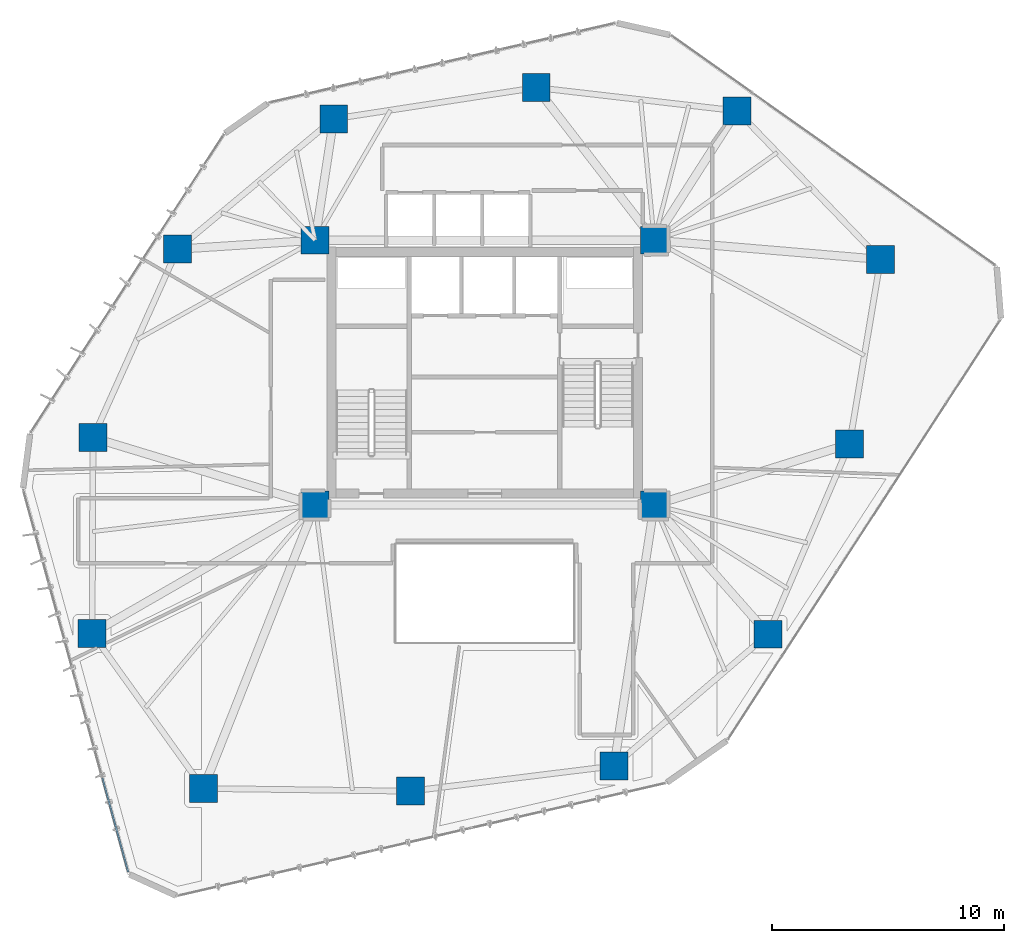
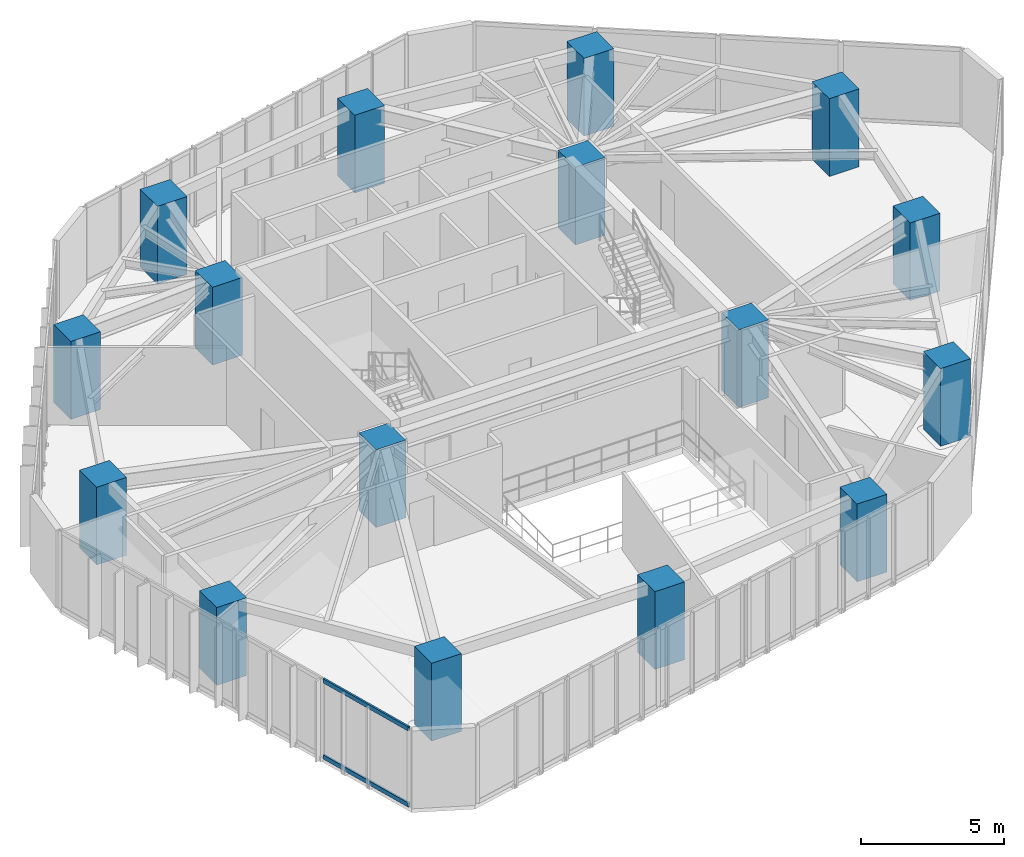
# One storey, part 1 of 21: 16 columns, 2 members, 1 element without a shape of its own.
"""IFC4 building model written with IfcOpenShell, lengths in metres."""

from ifc_helpers import new_model, si_unit, direction, frame, origin, origin_2d, place, context, subcontext, project, spatial, rectangle, hollow_rectangle, extrude, source, transform, mapped, material, layer, layer_set, material_profile, profile_set, type_object, type_shapes, element, aggregate, save


model = new_model("IFC4")

# Units and contexts
model_context = context("Model", 3, precision=1e-05, world=origin(), true_north=direction((0.0, 1.0)))
body_context = subcontext(model_context, "Body", "Model", "MODEL_VIEW")
ifc_project = project(units=[si_unit("LENGTHUNIT", "METRE"), si_unit("AREAUNIT", "SQUARE_METRE"), si_unit("VOLUMEUNIT", "CUBIC_METRE"), si_unit("PLANEANGLEUNIT", "RADIAN"), si_unit("MASSUNIT", "GRAM", prefix="KILO")], contexts=[model_context])

# Site, building, storey
site_placement = place(None, origin())
site = spatial("IfcSite", under=ifc_project, at=site_placement, CompositionType="ELEMENT")
building_placement = place(site_placement, origin())
building = spatial("IfcBuilding", under=site, at=building_placement, Name="Talar Marvaseh", CompositionType="ELEMENT")
storey_placement = place(building_placement, frame((0.0, 0.0, 129.0)))
storey = spatial("IfcBuildingStorey", under=building, at=storey_placement, Name="L33", CompositionType="ELEMENT", Elevation=129.0)

# Columns
ifc_material_1 = material(Name="Concrete C60/75", Category="concrete")
ifc_material_profile_1 = material_profile(ifc_material_1, rectangle(XDim=1.199951171875, YDim=1.199951171875, at=origin_2d()), Name="RC1200x1200")
ifc_profile_set_1 = profile_set([ifc_material_profile_1], Name="Concrete C60/75")
column_type = type_object("IfcColumnType", Name="Zone 2 Tube Column RC1200x1200", PredefinedType="COLUMN", material=ifc_profile_set_1)
for number, where, z_axis, x_axis, name in (
    (1, (36.865966796875, 42.470947265625, 0.0), (0.0, 0.0, 1.0), (1.0, 0.0, 0.0), "L33 Zone 2 Tube Column RC1200x1200"),
    (2, (43.0439453125, 36.075927734375, 0.0), (0.0, 0.0, 1.0), (1.0, 0.0, 0.0), "L33 Zone 2 Tube Column RC1200x1200"),
    (3, (41.708984375, 28.1279296875, 0.0), (0.0, 0.0, 1.0), (1.0, 0.0, 0.0), "L33 Zone 2 Tube Column RC1200x1200"),
    (4, (38.2060546875, 19.94091796875, 0.0), (0.0, 0.0, 1.0), (1.0, 0.0, 0.0), "L33 Zone 2 Tube Column RC1200x1200"),
    (5, (31.570068359375, 14.26806640625, 0.0), (0.0, 0.0, 1.0), (1.0, 0.0, 0.0), "L33 Zone 2 Tube Column RC1200x1200"),
    (6, (22.804931640625, 13.18310546875, 0.0), (0.0, 0.0, 1.0), (1.0, 0.0, 0.0), "L33 Zone 2 Tube Column RC1200x1200"),
    (7, (13.89111328125, 13.299072265625, 0.0), (0.0, 0.0, 1.0), (1.0, 0.0, 0.0), "L33 Zone 2 Tube Column RC1200x1200"),
    (8, (9.10107421875, 19.97705078125, 0.0), (0.0, 0.0, 1.0), (1.0, 0.0, 0.0), "L33 Zone 2 Tube Column RC1200x1200"),
    (9, (9.137939453125, 28.402099609375, 0.0), (0.0, 0.0, 1.0), (1.0, 0.0, 0.0), "L33 Zone 2 Tube Column RC1200x1200"),
    (10, (12.780029296875, 36.51708984375, 0.0), (0.0, 0.0, 1.0), (1.0, 0.0, 0.0), "L33 Zone 2 Tube Column RC1200x1200"),
    (11, (19.5009765625, 42.123046875, 0.0), (0.0, 0.0, 1.0), (1.0, 0.0, 0.0), "L33 Zone 2 Tube Column RC1200x1200"),
    (12, (28.221923828125, 43.471923828125, 0.0), (0.0, 0.0, 1.0), (1.0, 0.0, 0.0), "L33 Zone 2 Tube Column RC1200x1200"),
    (13, (18.699951171875, 25.5, 0.0), (0.0, 0.0, 1.0), (1.0, 0.0, 0.0), "L33 Zone 2 Tube Column RC1200x1200"),
    (14, (33.300048828125, 25.5, 0.0), (0.0, 0.0, 1.0), (1.0, 0.0, 0.0), "L33 Zone 2 Tube Column RC1200x1200"),
    (15, (33.300048828125, 36.89990234375, 0.0), (0.0, 0.0, 1.0), (1.0, 0.0, 0.0), "L33 Zone 2 Tube Column RC1200x1200"),
    (16, (18.699951171875, 36.89990234375, 0.0), (0.0, 0.0, 1.0), (1.0, 0.0, 0.0), "L33 Zone 2 Tube Column RC1200x1200"),
):
    element("IfcColumn", number, at=place(storey_placement, frame(where, z_axis=z_axis, x_axis=x_axis)), inside=storey, type_object=column_type, Name=name, PredefinedType="COLUMN", context=body_context, shape_type="SweptSolid", body=[
        extrude(rectangle(XDim=1.199951171875, YDim=1.199951171875, at=origin_2d()), origin(), (0.0, 0.0, 1.0), 3.31005859375),
    ])

# Curtain wall, members
ifc_material_2 = material(Name="Architectural Aluminium", Category="aluminium")
ifc_layer = layer(ifc_material_2, 0.199951171875)
ifc_layer_set = layer_set([ifc_layer], Name="Architectural Aluminium")
curtain_wall_type = type_object("IfcCurtainWallType", Name="Unitised Acoustic Library Curtain Wall Z2", PredefinedType="NOTDEFINED", material=ifc_layer_set)
curtain_wall_placement = place(storey_placement, origin())
curtain_wall = element("IfcCurtainWall", 17, at=curtain_wall_placement, inside=storey, type_object=curtain_wall_type, Name="L33 Unitised Acoustic Library Curtain Wall Z2", PredefinedType="NOTDEFINED")
ifc_material_profile_2 = material_profile(ifc_material_2, hollow_rectangle(XDim=0.074951171875, YDim=0.179931640625, WallThickness=0.0048828125, at=origin_2d()), Name="RHS180x75x5")
ifc_profile_set_2 = profile_set([ifc_material_profile_2], Name="Architectural Aluminium")
member_type = type_object("IfcMemberType", Name="Unitised Curtain Wall Transom RHS180x75x5", PredefinedType="USERDEFINED", material=ifc_profile_set_2)
shared_shape = source(origin(), body_context, "Body", "SweptSolid", [
    extrude(hollow_rectangle(XDim=0.074951171875, YDim=0.179931640625, WallThickness=0.0048828125, at=origin_2d()), origin(), (0.0, 0.0, 1.0), 4.185302734375),
])
type_shapes(member_type, [shared_shape])
member_1_placement = place(storey_placement, frame((10.654296875, 9.706787109375, 0.03759765625), z_axis=(-0.264652100694, 0.964343956065, 0.0), x_axis=(-0.964343956065, -0.264652100694, 0.0)))
member_1 = element("IfcMember", 18, at=member_1_placement, type_object=member_type, Name="CW-Z2 transom 1.1", ObjectType="TRANSOM", PredefinedType="USERDEFINED", context=body_context, shape_type="MappedRepresentation", body=[
    mapped(shared_shape, transform((0.0, 0.0, 0.0), x_axis=(1.0, 0.0, 0.0), y_axis=(0.0, 1.0, 0.0), z_axis=(0.0, 0.0, 1.0), scale=1.0)),
])
member_2_placement = place(storey_placement, frame((10.654296875, 9.706787109375, 3.2724609375), z_axis=(-0.264652100694, 0.964343956065, 0.0), x_axis=(-0.964343956065, -0.264652100694, 0.0)))
member_2 = element("IfcMember", 19, at=member_2_placement, type_object=member_type, Name="CW-Z2 transom 1.2", ObjectType="TRANSOM", PredefinedType="USERDEFINED", context=body_context, shape_type="MappedRepresentation", body=[
    mapped(shared_shape, transform((0.0, 0.0, 0.0), x_axis=(1.0, 0.0, 0.0), y_axis=(0.0, 1.0, 0.0), z_axis=(0.0, 0.0, 1.0), scale=1.0)),
])
aggregate(curtain_wall, [member_1, member_2])

save(model, "model.ifc")
